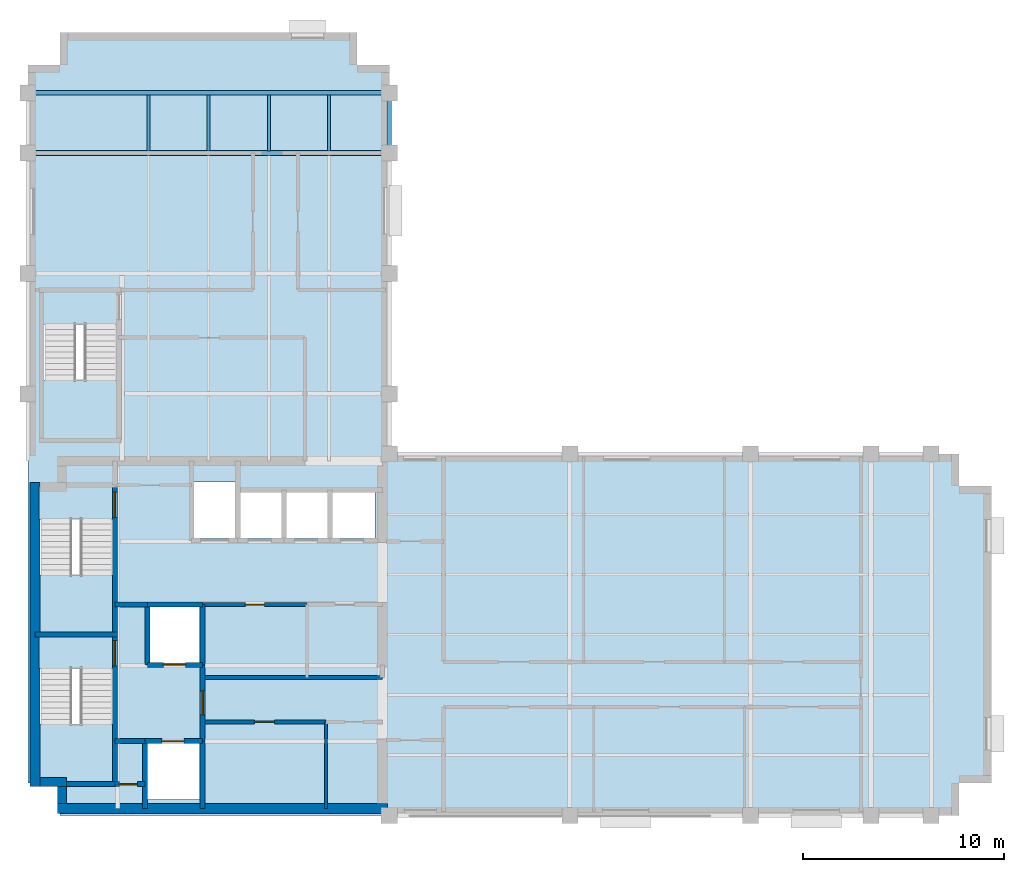
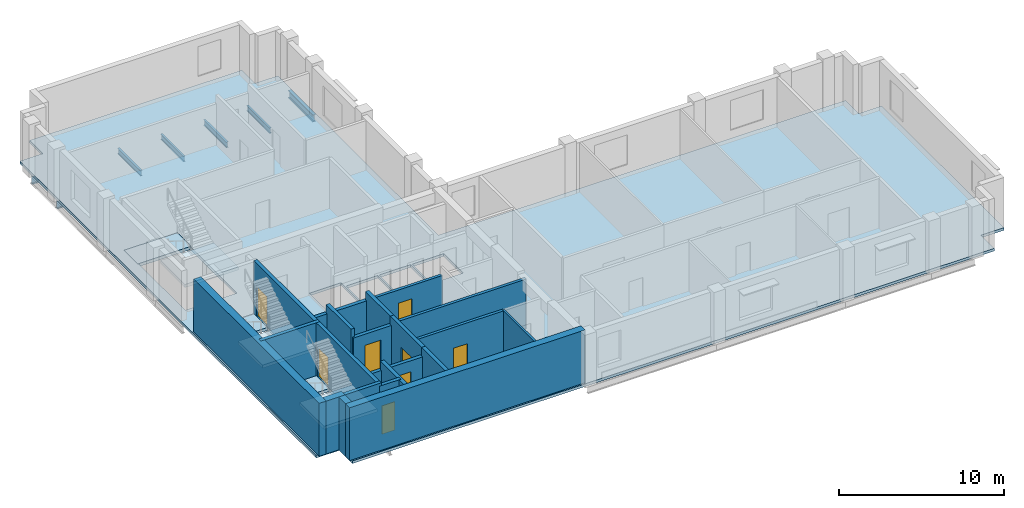
# One storey, part 2 of 6: 23 walls, 8 doors, 7 beams, 7 slabs, 8 openings, 3 elements without a shape of their own.
"""IFC4 building model written with IfcOpenShell, lengths in metres."""

from ifc_helpers import new_model, si_unit, direction, frame, frame_2d, origin, origin_2d, place, context, subcontext, project, spatial, polyline, rectangle, i_section, outline, extrude, material, layer, layer_set, material_profile, profile_set, type_object, element, fill, aggregate, save


model = new_model("IFC4")

# Units and contexts
model_context = context("Model", 3, precision=1e-05, world=origin(), true_north=direction((0.0, 1.0)))
body_context = subcontext(model_context, "Body", "Model", "MODEL_VIEW")
ifc_project = project(units=[si_unit("LENGTHUNIT", "METRE"), si_unit("AREAUNIT", "SQUARE_METRE"), si_unit("VOLUMEUNIT", "CUBIC_METRE"), si_unit("PLANEANGLEUNIT", "RADIAN"), si_unit("MASSUNIT", "GRAM", prefix="KILO")], contexts=[model_context])

# Site, building, storey
site_placement = place(None, origin())
site = spatial("IfcSite", under=ifc_project, at=site_placement, CompositionType="ELEMENT")
building_placement = place(site_placement, origin())
building = spatial("IfcBuilding", under=site, at=building_placement, Name="Mawjdan Bourse Tower", CompositionType="ELEMENT")
storey_placement = place(building_placement, frame((0.0, 0.0, 231.300048828125)))
storey = spatial("IfcBuildingStorey", under=building, at=storey_placement, Name="L56", CompositionType="ELEMENT", Elevation=231.300048828125)

# Beams
ifc_material_1 = material(Name="Structural Steel S355", Category="steel")
ifc_material_profile_1 = material_profile(ifc_material_1, i_section(OverallWidth=0.22998046875, OverallDepth=0.616943359375, WebThickness=0.01318359375, FlangeThickness=0.022216796875, FilletRadius=0.017822265625, at=origin_2d()), Name="W24X94")
ifc_profile_set_1 = profile_set([ifc_material_profile_1], Name="Structural Steel S355")
beam_type_1 = type_object("IfcBeamType", Name="GRD-W24X94", PredefinedType="BEAM", material=ifc_profile_set_1)
for number, where, z_axis, x_axis, name in (
    (1, (6.0, 36.0, -0.508544921875), (1.0, 0.0, 0.0), (0.0, 1.0, 0.0), "L56 North Wing Clear-Span Girder 041"),
    (2, (6.0, 39.0, -0.508544921875), (1.0, 0.0, 0.0), (0.0, 1.0, 0.0), "L56 North Wing Clear-Span Girder 042"),
):
    element("IfcBeam", number, at=place(storey_placement, frame(where, z_axis=z_axis, x_axis=x_axis)), inside=storey, type_object=beam_type_1, Name=name, PredefinedType="BEAM", context=body_context, shape_type="SweptSolid", body=[
        extrude(i_section(OverallWidth=0.22998046875, OverallDepth=0.616943359375, WebThickness=0.01318359375, FlangeThickness=0.022216796875, FilletRadius=0.017822265625, at=origin_2d()), origin(), (0.0, 0.0, 1.0), 18.0),
    ])
ifc_material_profile_2 = material_profile(ifc_material_1, i_section(OverallWidth=0.139892578125, OverallDepth=0.404052734375, WebThickness=0.007080078125, FlangeThickness=0.01123046875, FilletRadius=0.009033203125, at=origin_2d()), Name="W16X31")
ifc_profile_set_2 = profile_set([ifc_material_profile_2], Name="Structural Steel S355")
beam_type_2 = type_object("IfcBeamType", Name="JST-W16X31", PredefinedType="JOIST", material=ifc_profile_set_2)
for number, where, z_axis, x_axis, name in (
    (3, (12.0, 36.113037109375, -0.402099609375), (0.0, 1.0, 0.0), (-1.0, 0.0, 0.0), "L56 North Wing Composite Joist 054"),
    (4, (15.0, 36.113037109375, -0.402099609375), (0.0, 1.0, 0.0), (-1.0, 0.0, 0.0), "L56 North Wing Composite Joist 058"),
    (5, (18.0, 36.113037109375, -0.402099609375), (0.0, 1.0, 0.0), (-1.0, 0.0, 0.0), "L56 North Wing Composite Joist 062"),
    (6, (21.0, 36.113037109375, -0.402099609375), (0.0, 1.0, 0.0), (-1.0, 0.0, 0.0), "L56 North Wing Composite Joist 066"),
):
    element("IfcBeam", number, at=place(storey_placement, frame(where, z_axis=z_axis, x_axis=x_axis)), inside=storey, type_object=beam_type_2, Name=name, PredefinedType="JOIST", context=body_context, shape_type="SweptSolid", body=[
        extrude(i_section(OverallWidth=0.139892578125, OverallDepth=0.404052734375, WebThickness=0.007080078125, FlangeThickness=0.01123046875, FilletRadius=0.009033203125, at=origin_2d()), origin(), (0.0, 0.0, 1.0), 2.77392578125),
    ])
ifc_material_profile_3 = material_profile(ifc_material_1, i_section(OverallWidth=0.2099609375, OverallDepth=0.537109375, WebThickness=0.010986328125, FlangeThickness=0.017333984375, FilletRadius=0.013916015625, at=origin_2d()), Name="W21X68")
ifc_profile_set_3 = profile_set([ifc_material_profile_3], Name="Structural Steel S355")
beam_type_3 = type_object("IfcBeamType", Name="SPN-W21X68", PredefinedType="SPANDREL", material=ifc_profile_set_3)
beam_placement = place(storey_placement, frame((24.0, 36.0, -0.468505859375), z_axis=(0.0, 1.0, 0.0), x_axis=(-1.0, 0.0, 0.0)))
element("IfcBeam", 7, at=beam_placement, inside=storey, type_object=beam_type_3, Name="L56 North Wing Spandrel 050", PredefinedType="SPANDREL", context=body_context, shape_type="SweptSolid", body=[
    extrude(i_section(OverallWidth=0.2099609375, OverallDepth=0.537109375, WebThickness=0.010986328125, FlangeThickness=0.017333984375, FilletRadius=0.013916015625, at=origin_2d()), origin(), (0.0, 0.0, 1.0), 3.0),
])

# Stair, slabs
ifc_material_2 = material(Name="Concrete C50/60", Category="concrete")
stair_type = type_object("IfcStairType", Name="STR-CORE-1500", PredefinedType="HALF_TURN_STAIR", material=ifc_material_2)
stair_1_placement = place(storey_placement, origin())
stair_1 = element("IfcStair", 8, at=stair_1_placement, inside=storey, type_object=stair_type, Name="L56 Exit Stair 1 (Core South-West)", PredefinedType="HALF_TURN_STAIR")
ifc_layer_1 = layer(ifc_material_2, 0.22998046875)
ifc_layer_set_1 = layer_set([ifc_layer_1], Name="Concrete C50/60")
slab_type_1 = type_object("IfcSlabType", Name="SL-LND-230", PredefinedType="LANDING", material=ifc_layer_set_1)
slab_1_placement = place(storey_placement, frame((0.0, 0.0, -0.22998046875)))
slab_1 = element("IfcSlab", 9, at=slab_1_placement, type_object=slab_type_1, Name="ST1-L56 landing 1", PredefinedType="LANDING", context=body_context, shape_type="SweptSolid", body=[
    extrude(outline(polyline([(6.5400390625, 10.31005859375), (10.260009765625, 10.31005859375), (10.260009765625, 11.969970703125), (6.5400390625, 11.969970703125), (6.5400390625, 10.31005859375)])), origin(), (0.0, 0.0, 1.0), 0.22998046875),
])
slab_2_placement = place(storey_placement, frame((0.0, 0.0, 1.719970703125)))
slab_2 = element("IfcSlab", 10, at=slab_2_placement, type_object=slab_type_1, Name="ST1-L56 landing 2", PredefinedType="LANDING", context=body_context, shape_type="SweptSolid", body=[
    extrude(outline(polyline([(6.5400390625, 4.590087890625), (10.260009765625, 4.590087890625), (10.260009765625, 7.5400390625), (6.5400390625, 7.5400390625), (6.5400390625, 4.590087890625)])), origin(), (0.0, 0.0, 1.0), 0.22998046875),
])
aggregate(stair_1, [slab_1, slab_2])

stair_2_placement = place(storey_placement, origin())
stair_2 = element("IfcStair", 11, at=stair_2_placement, inside=storey, type_object=stair_type, Name="L56 Exit Stair 2 (Core North-West)", PredefinedType="HALF_TURN_STAIR")
slab_3_placement = place(storey_placement, frame((0.0, 0.0, -0.22998046875)))
slab_3 = element("IfcSlab", 12, at=slab_3_placement, type_object=slab_type_1, Name="ST2-L56 landing 1", PredefinedType="LANDING", context=body_context, shape_type="SweptSolid", body=[
    extrude(outline(polyline([(6.5400390625, 17.75), (10.260009765625, 17.75), (10.260009765625, 19.409912109375), (6.5400390625, 19.409912109375), (6.5400390625, 17.75)])), origin(), (0.0, 0.0, 1.0), 0.22998046875),
])
slab_4_placement = place(storey_placement, frame((0.0, 0.0, 1.719970703125)))
slab_4 = element("IfcSlab", 13, at=slab_4_placement, type_object=slab_type_1, Name="ST2-L56 landing 2", PredefinedType="LANDING", context=body_context, shape_type="SweptSolid", body=[
    extrude(outline(polyline([(6.5400390625, 12.030029296875), (10.260009765625, 12.030029296875), (10.260009765625, 14.97998046875), (6.5400390625, 14.97998046875), (6.5400390625, 12.030029296875)])), origin(), (0.0, 0.0, 1.0), 0.22998046875),
])
aggregate(stair_2, [slab_3, slab_4])

stair_3_placement = place(storey_placement, origin())
stair_3 = element("IfcStair", 14, at=stair_3_placement, inside=storey, type_object=stair_type, Name="L56 Exit Stair 3 (North Wing)", PredefinedType="HALF_TURN_STAIR")
slab_5_placement = place(storey_placement, frame((0.0, 0.0, -0.22998046875)))
slab_5 = element("IfcSlab", 15, at=slab_5_placement, type_object=slab_type_1, Name="ST3-L56 landing 1", PredefinedType="LANDING", context=body_context, shape_type="SweptSolid", body=[
    extrude(outline(polyline([(6.739990234375, 27.4599609375), (10.4599609375, 27.4599609375), (10.4599609375, 29.1201171875), (6.739990234375, 29.1201171875), (6.739990234375, 27.4599609375)])), origin(), (0.0, 0.0, 1.0), 0.22998046875),
])
slab_6_placement = place(storey_placement, frame((0.0, 0.0, 1.719970703125)))
slab_6 = element("IfcSlab", 16, at=slab_6_placement, type_object=slab_type_1, Name="ST3-L56 landing 2", PredefinedType="LANDING", context=body_context, shape_type="SweptSolid", body=[
    extrude(outline(polyline([(6.739990234375, 21.739990234375), (10.4599609375, 21.739990234375), (10.4599609375, 24.68994140625), (6.739990234375, 24.68994140625), (6.739990234375, 21.739990234375)])), origin(), (0.0, 0.0, 1.0), 0.22998046875),
])
aggregate(stair_3, [slab_5, slab_6])

# Slab
ifc_layer_2 = layer(ifc_material_2, 0.199951171875)
ifc_layer_set_2 = layer_set([ifc_layer_2], Name="Concrete C50/60")
slab_type_2 = type_object("IfcSlabType", Name="SL-OFC-200", PredefinedType="FLOOR", material=ifc_layer_set_2)
slab_7_placement = place(storey_placement, frame((0.0, 0.0, -0.199951171875)))
element("IfcSlab", 17, at=slab_7_placement, inside=storey, type_object=slab_type_2, Name="L56 Structural Floor Slab 1", PredefinedType="FLOOR", context=body_context, shape_type="SweptSolid", body=[
    extrude(outline(polyline([(7.60009765625, 3.0), (52.39990234375, 3.0), (52.39990234375, 4.60009765625), (54.0, 4.60009765625), (54.0, 19.39990234375), (52.39990234375, 19.39990234375), (52.39990234375, 21.0), (24.0, 21.0), (24.0, 40.39990234375), (22.39990234375, 40.39990234375), (22.39990234375, 42.0), (7.60009765625, 42.0), (7.60009765625, 40.39990234375), (6.0, 40.39990234375), (6.0, 4.60009765625), (7.60009765625, 4.60009765625), (7.60009765625, 3.0)]), holes=[polyline([(6.5400390625, 11.969970703125), (10.260009765625, 11.969970703125), (10.260009765625, 10.31005859375), (10.199951171875, 10.31005859375), (10.199951171875, 4.64990234375), (6.60009765625, 4.64990234375), (6.60009765625, 10.31005859375), (6.5400390625, 10.31005859375), (6.5400390625, 11.969970703125)]), polyline([(6.60009765625, 12.090087890625), (6.60009765625, 17.75), (6.5400390625, 17.75), (6.5400390625, 19.409912109375), (10.260009765625, 19.409912109375), (10.260009765625, 17.75), (10.199951171875, 17.75), (10.199951171875, 12.090087890625), (6.60009765625, 12.090087890625)]), polyline([(10.4599609375, 29.1201171875), (10.4599609375, 27.4599609375), (10.39990234375, 27.4599609375), (10.39990234375, 21.800048828125), (6.800048828125, 21.800048828125), (6.800048828125, 27.4599609375), (6.739990234375, 27.4599609375), (6.739990234375, 29.1201171875), (10.4599609375, 29.1201171875)]), polyline([(14.550048828125, 3.800048828125), (11.949951171875, 3.800048828125), (11.949951171875, 6.60009765625), (14.550048828125, 6.60009765625), (14.550048828125, 3.800048828125)]), polyline([(12.050048828125, 10.60009765625), (12.050048828125, 13.39990234375), (14.550048828125, 13.39990234375), (14.550048828125, 10.60009765625), (12.050048828125, 10.60009765625)]), polyline([(16.5, 16.800048828125), (16.5, 19.14990234375), (18.699951171875, 19.14990234375), (18.699951171875, 16.800048828125), (16.5, 16.800048828125)]), polyline([(21.0, 16.800048828125), (18.800048828125, 16.800048828125), (18.800048828125, 19.14990234375), (21.0, 19.14990234375), (21.0, 16.800048828125)]), polyline([(21.10009765625, 16.800048828125), (21.10009765625, 19.14990234375), (23.300048828125, 19.14990234375), (23.300048828125, 16.800048828125), (21.10009765625, 16.800048828125)]), polyline([(14.199951171875, 16.800048828125), (14.199951171875, 19.60009765625), (16.39990234375, 19.60009765625), (16.39990234375, 16.800048828125), (14.199951171875, 16.800048828125)])]), origin(), (0.0, 0.0, 1.0), 0.199951171875),
])

# Wall, opening, door
ifc_material_3 = material(Name="Gypsum Fireboard Assembly")
ifc_layer_3 = layer(ifc_material_3, 0.199951171875)
ifc_layer_set_3 = layer_set([ifc_layer_3], Name="Gypsum Fireboard Assembly")
wall_type_1 = type_object("IfcWallType", Name="WL-CMP-200", PredefinedType="PARTITIONING", material=ifc_layer_set_3)
wall_1_placement = place(storey_placement, frame((14.699951171875, 7.659912109375, 0.0), z_axis=(0.0, 0.0, 1.0), x_axis=(1.0, 0.0, 0.0)))
wall_1 = element("IfcWall", 18, at=wall_1_placement, inside=storey, type_object=wall_type_1, Name="L56 Staff Wellness Lounge North Wall", PredefinedType="PARTITIONING", context=body_context, shape_type="SweptSolid", body=[
    extrude(rectangle(XDim=6.150146484375, YDim=0.199951171875, at=frame_2d((3.0751953125, 0.0))), origin(), (0.0, 0.0, 1.0), 3.68994140625),
])
opening_1_placement = place(wall_1_placement, frame((2.574951171875, 0.0, 0.0)))
opening_1 = element("IfcOpeningElement", 19, at=opening_1_placement, cuts=wall_1, Name="Opening D-L56-13", PredefinedType="OPENING", context=body_context, shape_type="SweptSolid", body=[
    extrude(rectangle(XDim=1.0, YDim=2.14990234375, at=frame_2d((0.5, 1.074951171875))), frame((0.0, 0.10986328125, 0.0), z_axis=(0.0, -1.0, 0.0), x_axis=(1.0, 0.0, 0.0)), (0.0, 0.0, 1.0), 0.219970703125),
])
ifc_material_4 = material(Name="Hardwood Acoustic Leaf", Category="wood")
door_type_1 = type_object("IfcDoorType", Name="DR-OFC-1000", OperationType="NOTDEFINED", PredefinedType="DOOR", material=ifc_material_4)
door_1_placement = place(opening_1_placement, origin())
door_1 = element("IfcDoor", 20, at=door_1_placement, inside=storey, type_object=door_type_1, Name="L56 Staff Wellness Lounge Door D-L56-13", OperationType="SINGLE_SWING_LEFT", OverallHeight=2.14990234375, OverallWidth=1.0, PredefinedType="DOOR", context=body_context, shape_type="SweptSolid", body=[
    extrude(rectangle(XDim=1.0, YDim=2.14990234375, at=frame_2d((0.5, 1.074951171875))), frame((0.0, 0.02490234375, 0.0), z_axis=(0.0, -1.0, 0.0), x_axis=(1.0, 0.0, 0.0)), (0.0, 0.0, 1.0), 0.050048828125),
])
fill(opening_1, door_1)

# Wall
wall_2_placement = place(storey_placement, frame((14.824951171875, 9.8798828125, 0.0), z_axis=(0.0, 0.0, 1.0), x_axis=(1.0, 0.0, 0.0)))
element("IfcWall", 21, at=wall_2_placement, inside=storey, type_object=wall_type_1, Name="L56 Core Restroom Suite South Wall", PredefinedType="PARTITIONING", context=body_context, shape_type="SweptSolid", body=[
    extrude(rectangle(XDim=8.824951171875, YDim=0.199951171875, at=frame_2d((4.41259765625, 0.0))), origin(), (0.0, 0.0, 1.0), 3.68994140625),
])

# Wall, opening, door
wall_3_placement = place(storey_placement, frame((14.699951171875, 13.5, 0.0), z_axis=(0.0, 0.0, 1.0), x_axis=(1.0, 0.0, 0.0)))
wall_3 = element("IfcWall", 22, at=wall_3_placement, inside=storey, type_object=wall_type_1, Name="L56 Accessible WC North Wall", PredefinedType="PARTITIONING", context=body_context, shape_type="SweptSolid", body=[
    extrude(rectangle(XDim=5.199951171875, YDim=0.199951171875, at=frame_2d((2.60009765625, 0.0))), origin(), (0.0, 0.0, 1.0), 3.072998046875),
])
opening_2_placement = place(wall_3_placement, frame((2.125, 0.0, 0.0)))
opening_2 = element("IfcOpeningElement", 23, at=opening_2_placement, cuts=wall_3, Name="Opening D-L56-15", PredefinedType="OPENING", context=body_context, shape_type="SweptSolid", body=[
    extrude(rectangle(XDim=0.949951171875, YDim=2.10009765625, at=frame_2d((0.47509765625, 1.050048828125))), frame((0.0, 0.10986328125, 0.0), z_axis=(0.0, -1.0, 0.0), x_axis=(1.0, 0.0, 0.0)), (0.0, 0.0, 1.0), 0.219970703125),
])
ifc_material_5 = material(Name="Moisture-Resistant Laminate Timber", Category="wood")
door_type_2 = type_object("IfcDoorType", Name="DR-WET-0950", OperationType="NOTDEFINED", PredefinedType="DOOR", material=ifc_material_5)
door_2_placement = place(opening_2_placement, origin())
door_2 = element("IfcDoor", 24, at=door_2_placement, inside=storey, type_object=door_type_2, Name="L56 Accessible WC Door D-L56-15", OperationType="SINGLE_SWING_LEFT", OverallHeight=2.10009765625, OverallWidth=0.949951171875, PredefinedType="DOOR", context=body_context, shape_type="SweptSolid", body=[
    extrude(rectangle(XDim=0.949951171875, YDim=2.10009765625, at=frame_2d((0.47509765625, 1.050048828125))), frame((0.0, 0.02490234375, 0.0), z_axis=(0.0, -1.0, 0.0), x_axis=(1.0, 0.0, 0.0)), (0.0, 0.0, 1.0), 0.050048828125),
])
fill(opening_2, door_2)

# Walls
ifc_material_6 = material(Name="Concrete C60/75", Category="concrete")
ifc_layer_4 = layer(ifc_material_6, 0.449951171875)
ifc_layer_set_4 = layer_set([ifc_layer_4], Name="Concrete C60/75")
wall_type_2 = type_object("IfcWallType", Name="WL-CORE-450", PredefinedType="SHEAR", material=ifc_layer_set_4)
wall_4_placement = place(storey_placement, frame((6.60009765625, 4.64990234375, 0.0), z_axis=(0.0, 0.0, 1.0), x_axis=(1.0, 0.0, 0.0)))
element("IfcWall", 25, at=wall_4_placement, inside=storey, type_object=wall_type_2, Name="L56 Rear Core Shear Wall SW-X", PredefinedType="SHEAR", context=body_context, shape_type="SweptSolid", body=[
    extrude(rectangle(XDim=1.324951171875, YDim=0.449951171875, at=frame_2d((0.66259765625, 0.0))), origin(), (0.0, 0.0, 1.0), 3.89990234375),
])
wall_5_placement = place(storey_placement, frame((7.699951171875, 3.60009765625, 0.0), z_axis=(0.0, 0.0, 1.0), x_axis=(0.0, 1.0, 0.0)))
element("IfcWall", 26, at=wall_5_placement, inside=storey, type_object=wall_type_2, Name="L56 Rear Core Shear Wall SW-Y", PredefinedType="SHEAR", context=body_context, shape_type="SweptSolid", body=[
    extrude(rectangle(XDim=0.824951171875, YDim=0.449951171875, at=frame_2d((0.41259765625, 0.0))), origin(), (0.0, 0.0, 1.0), 3.89990234375),
])
ifc_layer_5 = layer(ifc_material_6, 0.5)
ifc_layer_set_5 = layer_set([ifc_layer_5], Name="Concrete C60/75")
wall_type_3 = type_object("IfcWallType", Name="WL-CORE-500", PredefinedType="SHEAR", material=ifc_layer_set_5)
wall_6_placement = place(storey_placement, frame((7.47509765625, 3.35009765625, 0.0), z_axis=(0.0, 0.0, 1.0), x_axis=(1.0, 0.0, 0.0)))
element("IfcWall", 27, at=wall_6_placement, inside=storey, type_object=wall_type_3, Name="L56 Rear Core Shear Wall S", PredefinedType="SHEAR", context=body_context, shape_type="SweptSolid", body=[
    extrude(rectangle(XDim=16.4248046875, YDim=0.5, at=frame_2d((8.21240234375, 0.0))), origin(), (0.0, 0.0, 1.0), 3.89990234375),
])
wall_7_placement = place(storey_placement, frame((6.35009765625, 4.425048828125, 0.0), z_axis=(0.0, 0.0, 1.0), x_axis=(0.0, 1.0, 0.0)))
element("IfcWall", 28, at=wall_7_placement, inside=storey, type_object=wall_type_3, Name="L56 Rear Core Shear Wall W", PredefinedType="SHEAR", context=body_context, shape_type="SweptSolid", body=[
    extrude(rectangle(XDim=15.14990234375, YDim=0.5, at=frame_2d((7.574951171875, 0.0))), origin(), (0.0, 0.0, 1.0), 3.89990234375),
])
ifc_material_7 = material(Name="Gypsum Acoustic Partition")
ifc_layer_6 = layer(ifc_material_7, 0.14990234375)
ifc_layer_set_6 = layer_set([ifc_layer_6], Name="Gypsum Acoustic Partition")
wall_type_4 = type_object("IfcWallType", Name="WL-PRT-150", PredefinedType="PARTITIONING", material=ifc_layer_set_6)
wall_8_placement = place(storey_placement, frame((20.85009765625, 3.35009765625, 0.0), z_axis=(0.0, 0.0, 1.0), x_axis=(0.0, 1.0, 0.0)))
element("IfcWall", 29, at=wall_8_placement, inside=storey, type_object=wall_type_4, Name="L56 Telemetry Control Room Core Split Wall", PredefinedType="PARTITIONING", context=body_context, shape_type="SweptSolid", body=[
    extrude(rectangle(XDim=4.309814453125, YDim=0.14990234375, at=frame_2d((2.15478515625, 0.0))), origin(), (0.0, 0.0, 1.0), 3.68994140625),
])

# Wall, opening, door
ifc_layer_7 = layer(ifc_material_2, 0.25)
ifc_layer_set_7 = layer_set([ifc_layer_7], Name="Concrete C50/60")
wall_type_5 = type_object("IfcWallType", Name="WL-SHFT-250", PredefinedType="PARTITIONING", material=ifc_layer_set_7)
wall_9_placement = place(storey_placement, frame((10.330078125, 4.550048828125, 0.0), z_axis=(0.0, 0.0, 1.0), x_axis=(1.0, 0.0, 0.0)))
wall_9 = element("IfcWall", 30, at=wall_9_placement, inside=storey, type_object=wall_type_5, Name="L56 SW Riser North Wall", PredefinedType="PARTITIONING", context=body_context, shape_type="SweptSolid", body=[
    extrude(rectangle(XDim=1.489990234375, YDim=0.25, at=frame_2d((0.7451171875, 0.0))), origin(), (0.0, 0.0, 1.0), 3.68994140625),
])
opening_3_placement = place(wall_9_placement, frame((0.219970703125, 0.0, 0.0)))
opening_3 = element("IfcOpeningElement", 31, at=opening_3_placement, cuts=wall_9, Name="Opening RD-L56-03", PredefinedType="OPENING", context=body_context, shape_type="SweptSolid", body=[
    extrude(rectangle(XDim=0.89990234375, YDim=2.10009765625, at=frame_2d((0.449951171875, 1.050048828125))), frame((0.0, 0.135009765625, 0.0), z_axis=(0.0, -1.0, 0.0), x_axis=(1.0, 0.0, 0.0)), (0.0, 0.0, 1.0), 0.27001953125),
])
ifc_material_8 = material(Name="Fire-Rated Steel Access Leaf", Category="steel")
door_type_3 = type_object("IfcDoorType", Name="FD-RSR-0900", OperationType="NOTDEFINED", PredefinedType="TRAPDOOR", material=ifc_material_8)
door_3_placement = place(opening_3_placement, origin())
door_3 = element("IfcDoor", 32, at=door_3_placement, inside=storey, type_object=door_type_3, Name="L56 Electrical Riser Access Door RD-L56-03", OperationType="SINGLE_SWING_LEFT", OverallHeight=2.10009765625, OverallWidth=0.89990234375, PredefinedType="TRAPDOOR", context=body_context, shape_type="SweptSolid", body=[
    extrude(rectangle(XDim=0.89990234375, YDim=2.10009765625, at=frame_2d((0.449951171875, 1.050048828125))), frame((0.0, 0.02490234375, 0.0), z_axis=(0.0, -1.0, 0.0), x_axis=(1.0, 0.0, 0.0)), (0.0, 0.0, 1.0), 0.050048828125),
])
fill(opening_3, door_3)

# Wall
wall_10_placement = place(storey_placement, frame((11.820068359375, 3.35009765625, 0.0), z_axis=(0.0, 0.0, 1.0), x_axis=(0.0, 1.0, 0.0)))
element("IfcWall", 33, at=wall_10_placement, inside=storey, type_object=wall_type_5, Name="L56 SW Riser & FFL01 West Wall", PredefinedType="PARTITIONING", context=body_context, shape_type="SweptSolid", body=[
    extrude(rectangle(XDim=3.349853515625, YDim=0.25, at=frame_2d((1.6748046875, 0.0))), origin(), (0.0, 0.0, 1.0), 3.68994140625),
])

# Wall, opening, door
wall_11_placement = place(storey_placement, frame((11.820068359375, 6.699951171875, 0.0), z_axis=(0.0, 0.0, 1.0), x_axis=(1.0, 0.0, 0.0)))
wall_11 = element("IfcWall", 34, at=wall_11_placement, inside=storey, type_object=wall_type_5, Name="L56 FFL-01 Front Shaft Wall", PredefinedType="PARTITIONING", context=body_context, shape_type="SweptSolid", body=[
    extrude(rectangle(XDim=2.8798828125, YDim=0.25, at=frame_2d((1.43994140625, 0.0))), origin(), (0.0, 0.0, 1.0), 3.072998046875),
])
opening_4_placement = place(wall_11_placement, frame((0.85009765625, 0.0, 0.0)))
opening_4 = element("IfcOpeningElement", 35, at=opening_4_placement, cuts=wall_11, Name="Opening LD-L56-05", PredefinedType="OPENING", context=body_context, shape_type="SweptSolid", body=[
    extrude(rectangle(XDim=1.10009765625, YDim=2.25, at=frame_2d((0.550048828125, 1.125))), frame((0.0, 0.135009765625, 0.0), z_axis=(0.0, -1.0, 0.0), x_axis=(1.0, 0.0, 0.0)), (0.0, 0.0, 1.0), 0.27001953125),
])
ifc_material_9 = material(Name="Brushed Stainless Steel", Category="steel")
door_type_4 = type_object("IfcDoorType", Name="LD-FFL-1100", OperationType="DOUBLE_DOOR_SLIDING", PredefinedType="DOOR", material=ifc_material_9)
door_4_placement = place(opening_4_placement, origin())
door_4 = element("IfcDoor", 36, at=door_4_placement, inside=storey, type_object=door_type_4, Name="L56 Firefighting Lift FFL-01 Landing Door LD-L56-05", OperationType="DOUBLE_DOOR_SLIDING", OverallHeight=2.25, OverallWidth=1.10009765625, PredefinedType="DOOR", context=body_context, shape_type="SweptSolid", body=[
    extrude(rectangle(XDim=1.10009765625, YDim=2.25, at=frame_2d((0.550048828125, 1.125))), frame((0.0, 0.02490234375, 0.0), z_axis=(0.0, -1.0, 0.0), x_axis=(1.0, 0.0, 0.0)), (0.0, 0.0, 1.0), 0.050048828125),
])
fill(opening_4, door_4)

# Wall
wall_12_placement = place(storey_placement, frame((14.699951171875, 3.35009765625, 0.0), z_axis=(0.0, 0.0, 1.0), x_axis=(0.0, 1.0, 0.0)))
element("IfcWall", 37, at=wall_12_placement, inside=storey, type_object=wall_type_5, Name="L56 FFL-01 East Shaft Wall", PredefinedType="PARTITIONING", context=body_context, shape_type="SweptSolid", body=[
    extrude(rectangle(XDim=3.349853515625, YDim=0.25, at=frame_2d((1.6748046875, 0.0))), origin(), (0.0, 0.0, 1.0), 3.68994140625),
])

# Wall, opening, door
wall_13_placement = place(storey_placement, frame((11.949951171875, 10.5, 0.0), z_axis=(0.0, 0.0, 1.0), x_axis=(1.0, 0.0, 0.0)))
wall_13 = element("IfcWall", 38, at=wall_13_placement, inside=storey, type_object=wall_type_5, Name="L56 FFL-02 Front Shaft Wall", PredefinedType="PARTITIONING", context=body_context, shape_type="SweptSolid", body=[
    extrude(rectangle(XDim=2.75, YDim=0.25, at=frame_2d((1.375, 0.0))), origin(), (0.0, 0.0, 1.0), 3.072998046875),
])
opening_5_placement = place(wall_13_placement, frame((0.800048828125, 0.0, 0.0)))
opening_5 = element("IfcOpeningElement", 39, at=opening_5_placement, cuts=wall_13, Name="Opening LD-L56-06", PredefinedType="OPENING", context=body_context, shape_type="SweptSolid", body=[
    extrude(rectangle(XDim=1.10009765625, YDim=2.25, at=frame_2d((0.550048828125, 1.125))), frame((0.0, 0.135009765625, 0.0), z_axis=(0.0, -1.0, 0.0), x_axis=(1.0, 0.0, 0.0)), (0.0, 0.0, 1.0), 0.27001953125),
])
door_5_placement = place(opening_5_placement, origin())
door_5 = element("IfcDoor", 40, at=door_5_placement, inside=storey, type_object=door_type_4, Name="L56 Firefighting Lift FFL-02 Landing Door LD-L56-06", OperationType="DOUBLE_DOOR_SLIDING", OverallHeight=2.25, OverallWidth=1.10009765625, PredefinedType="DOOR", context=body_context, shape_type="SweptSolid", body=[
    extrude(rectangle(XDim=1.10009765625, YDim=2.25, at=frame_2d((0.550048828125, 1.125))), frame((0.0, 0.02490234375, 0.0), z_axis=(0.0, -1.0, 0.0), x_axis=(1.0, 0.0, 0.0)), (0.0, 0.0, 1.0), 0.050048828125),
])
fill(opening_5, door_5)

# Walls
wall_14_placement = place(storey_placement, frame((11.949951171875, 10.5, 0.0), z_axis=(0.0, 0.0, 1.0), x_axis=(0.0, 1.0, 0.0)))
element("IfcWall", 41, at=wall_14_placement, inside=storey, type_object=wall_type_5, Name="L56 FFL-02 West Shaft Wall", PredefinedType="PARTITIONING", context=body_context, shape_type="SweptSolid", body=[
    extrude(rectangle(XDim=3.0, YDim=0.25, at=frame_2d((1.5, 0.0))), origin(), (0.0, 0.0, 1.0), 3.68994140625),
])
wall_15_placement = place(storey_placement, frame((11.949951171875, 13.5, 0.0), z_axis=(0.0, 0.0, 1.0), x_axis=(1.0, 0.0, 0.0)))
element("IfcWall", 42, at=wall_15_placement, inside=storey, type_object=wall_type_5, Name="L56 FFL-02 North Shaft Wall", PredefinedType="PARTITIONING", context=body_context, shape_type="SweptSolid", body=[
    extrude(rectangle(XDim=2.75, YDim=0.25, at=frame_2d((1.375, 0.0))), origin(), (0.0, 0.0, 1.0), 3.072998046875),
])
wall_16_placement = place(storey_placement, frame((14.699951171875, 10.5, 0.0), z_axis=(0.0, 0.0, 1.0), x_axis=(0.0, 1.0, 0.0)))
element("IfcWall", 43, at=wall_16_placement, inside=storey, type_object=wall_type_5, Name="L56 FFL-02 East Shaft Wall", PredefinedType="PARTITIONING", context=body_context, shape_type="SweptSolid", body=[
    extrude(rectangle(XDim=3.0, YDim=0.25, at=frame_2d((1.5, 0.0))), origin(), (0.0, 0.0, 1.0), 3.68994140625),
])

# Wall, opening, door
wall_17_placement = place(storey_placement, frame((14.699951171875, 6.699951171875, 0.0), z_axis=(0.0, 0.0, 1.0), x_axis=(0.0, 1.0, 0.0)))
wall_17 = element("IfcWall", 44, at=wall_17_placement, inside=storey, type_object=wall_type_5, Name="L56 Firefighting Lobby East Compartment Wall", PredefinedType="PARTITIONING", context=body_context, shape_type="SweptSolid", body=[
    extrude(rectangle(XDim=3.800048828125, YDim=0.25, at=frame_2d((1.89990234375, 0.0))), origin(), (0.0, 0.0, 1.0), 3.68994140625),
])
opening_6_placement = place(wall_17_placement, frame((1.300048828125, 0.0, 0.0)))
opening_6 = element("IfcOpeningElement", 45, at=opening_6_placement, cuts=wall_17, Name="Opening FD-L56-07", PredefinedType="OPENING", context=body_context, shape_type="SweptSolid", body=[
    extrude(rectangle(XDim=1.199951171875, YDim=2.199951171875, at=frame_2d((0.60009765625, 1.10009765625))), frame((0.0, 0.135009765625, 0.0), z_axis=(0.0, -1.0, 0.0), x_axis=(1.0, 0.0, 0.0)), (0.0, 0.0, 1.0), 0.27001953125),
])
ifc_material_10 = material(Name="Fire-Rated Steel Leaf", Category="steel")
door_type_5 = type_object("IfcDoorType", Name="FD-FFL-1200", OperationType="NOTDEFINED", PredefinedType="DOOR", material=ifc_material_10)
door_6_placement = place(opening_6_placement, origin())
door_6 = element("IfcDoor", 46, at=door_6_placement, inside=storey, type_object=door_type_5, Name="L56 Firefighting Lobby East Smoke Door FD-L56-07", OperationType="SINGLE_SWING_LEFT", OverallHeight=2.199951171875, OverallWidth=1.199951171875, PredefinedType="DOOR", context=body_context, shape_type="SweptSolid", body=[
    extrude(rectangle(XDim=1.199951171875, YDim=2.199951171875, at=frame_2d((0.60009765625, 1.10009765625))), frame((0.0, 0.02490234375, 0.0), z_axis=(0.0, -1.0, 0.0), x_axis=(1.0, 0.0, 0.0)), (0.0, 0.0, 1.0), 0.050048828125),
])
fill(opening_6, door_6)

# Walls
wall_18_placement = place(storey_placement, frame((10.330078125, 13.5, 0.0), z_axis=(0.0, 0.0, 1.0), x_axis=(1.0, 0.0, 0.0)))
element("IfcWall", 47, at=wall_18_placement, inside=storey, type_object=wall_type_5, Name="L56 Firefighting Lobby North Compartment Wall", PredefinedType="PARTITIONING", context=body_context, shape_type="SweptSolid", body=[
    extrude(rectangle(XDim=1.619873046875, YDim=0.25, at=frame_2d((0.81005859375, 0.0))), origin(), (0.0, 0.0, 1.0), 3.072998046875),
])
wall_19_placement = place(storey_placement, frame((10.330078125, 6.699951171875, 0.0), z_axis=(0.0, 0.0, 1.0), x_axis=(1.0, 0.0, 0.0)))
element("IfcWall", 48, at=wall_19_placement, inside=storey, type_object=wall_type_5, Name="L56 Firefighting Lobby South Closure Wall", PredefinedType="PARTITIONING", context=body_context, shape_type="SweptSolid", body=[
    extrude(rectangle(XDim=1.489990234375, YDim=0.25, at=frame_2d((0.7451171875, 0.0))), origin(), (0.0, 0.0, 1.0), 3.072998046875),
])
ifc_layer_8 = layer(ifc_material_2, 0.25)
ifc_layer_set_8 = layer_set([ifc_layer_8], Name="Concrete C50/60")
wall_type_6 = type_object("IfcWallType", Name="WL-STRW-250", PredefinedType="SHEAR", material=ifc_layer_set_8)
wall_20_placement = place(storey_placement, frame((6.35009765625, 12.0, 0.0), z_axis=(0.0, 0.0, 1.0), x_axis=(1.0, 0.0, 0.0)))
element("IfcWall", 49, at=wall_20_placement, inside=storey, type_object=wall_type_6, Name="L56 Stairwell Dividing Shaft Wall", PredefinedType="SHEAR", context=body_context, shape_type="SweptSolid", body=[
    extrude(rectangle(XDim=4.10498046875, YDim=0.25, at=frame_2d((2.052490234375, 0.0))), origin(), (0.0, 0.0, 1.0), 3.89990234375),
])
wall_21_placement = place(storey_placement, frame((7.699951171875, 4.550048828125, 0.0), z_axis=(0.0, 0.0, 1.0), x_axis=(1.0, 0.0, 0.0)))
element("IfcWall", 50, at=wall_21_placement, inside=storey, type_object=wall_type_6, Name="L56 Stairwell ST1 South Shaft Wall", PredefinedType="SHEAR", context=body_context, shape_type="SweptSolid", body=[
    extrude(rectangle(XDim=2.755126953125, YDim=0.25, at=frame_2d((1.37744140625, 0.0))), origin(), (0.0, 0.0, 1.0), 3.89990234375),
])

# Wall, opening, door
wall_22_placement = place(storey_placement, frame((10.330078125, 4.550048828125, 0.0), z_axis=(0.0, 0.0, 1.0), x_axis=(0.0, 1.0, 0.0)))
wall_22 = element("IfcWall", 51, at=wall_22_placement, inside=storey, type_object=wall_type_6, Name="L56 Stairwell ST1 East Enclosure Wall", PredefinedType="SHEAR", context=body_context, shape_type="SweptSolid", body=[
    extrude(rectangle(XDim=7.449951171875, YDim=0.25, at=frame_2d((3.72509765625, 0.0))), origin(), (0.0, 0.0, 1.0), 3.89990234375),
])
opening_7_placement = place(wall_22_placement, frame((5.89990234375, 0.0, 0.0)))
opening_7 = element("IfcOpeningElement", 52, at=opening_7_placement, cuts=wall_22, Name="Opening SD-L56-01", PredefinedType="OPENING", context=body_context, shape_type="SweptSolid", body=[
    extrude(rectangle(XDim=1.25, YDim=2.199951171875, at=frame_2d((0.625, 1.10009765625))), frame((0.0, 0.135009765625, 0.0), z_axis=(0.0, -1.0, 0.0), x_axis=(1.0, 0.0, 0.0)), (0.0, 0.0, 1.0), 0.27001953125),
])
door_type_6 = type_object("IfcDoorType", Name="FD-ST-1250", OperationType="NOTDEFINED", PredefinedType="DOOR", material=ifc_material_10)
door_7_placement = place(opening_7_placement, origin())
door_7 = element("IfcDoor", 53, at=door_7_placement, inside=storey, type_object=door_type_6, Name="L56 Exit Stair ST1 Fire Door SD-L56-01", OperationType="SINGLE_SWING_LEFT", OverallHeight=2.199951171875, OverallWidth=1.25, PredefinedType="DOOR", context=body_context, shape_type="SweptSolid", body=[
    extrude(rectangle(XDim=1.25, YDim=2.199951171875, at=frame_2d((0.625, 1.10009765625))), frame((0.0, 0.02490234375, 0.0), z_axis=(0.0, -1.0, 0.0), x_axis=(1.0, 0.0, 0.0)), (0.0, 0.0, 1.0), 0.050048828125),
])
fill(opening_7, door_7)

wall_23_placement = place(storey_placement, frame((10.330078125, 12.0, 0.0), z_axis=(0.0, 0.0, 1.0), x_axis=(0.0, 1.0, 0.0)))
wall_23 = element("IfcWall", 54, at=wall_23_placement, inside=storey, type_object=wall_type_6, Name="L56 Stairwell ST2 East Enclosure Wall", PredefinedType="SHEAR", context=body_context, shape_type="SweptSolid", body=[
    extrude(rectangle(XDim=7.449951171875, YDim=0.25, at=frame_2d((3.72509765625, 0.0))), origin(), (0.0, 0.0, 1.0), 3.89990234375),
])
opening_8_placement = place(wall_23_placement, frame((5.85009765625, 0.0, 0.0)))
opening_8 = element("IfcOpeningElement", 55, at=opening_8_placement, cuts=wall_23, Name="Opening SD-L56-02", PredefinedType="OPENING", context=body_context, shape_type="SweptSolid", body=[
    extrude(rectangle(XDim=1.25, YDim=2.199951171875, at=frame_2d((0.625, 1.10009765625))), frame((0.0, 0.135009765625, 0.0), z_axis=(0.0, -1.0, 0.0), x_axis=(1.0, 0.0, 0.0)), (0.0, 0.0, 1.0), 0.27001953125),
])
door_8_placement = place(opening_8_placement, origin())
door_8 = element("IfcDoor", 56, at=door_8_placement, inside=storey, type_object=door_type_6, Name="L56 Exit Stair ST2 Fire Door SD-L56-02", OperationType="SINGLE_SWING_RIGHT", OverallHeight=2.199951171875, OverallWidth=1.25, PredefinedType="DOOR", context=body_context, shape_type="SweptSolid", body=[
    extrude(rectangle(XDim=1.25, YDim=2.199951171875, at=frame_2d((0.625, 1.10009765625))), frame((0.0, 0.02490234375, 0.0), z_axis=(0.0, -1.0, 0.0), x_axis=(1.0, 0.0, 0.0)), (0.0, 0.0, 1.0), 0.050048828125),
])
fill(opening_8, door_8)

save(model, "model.ifc")
